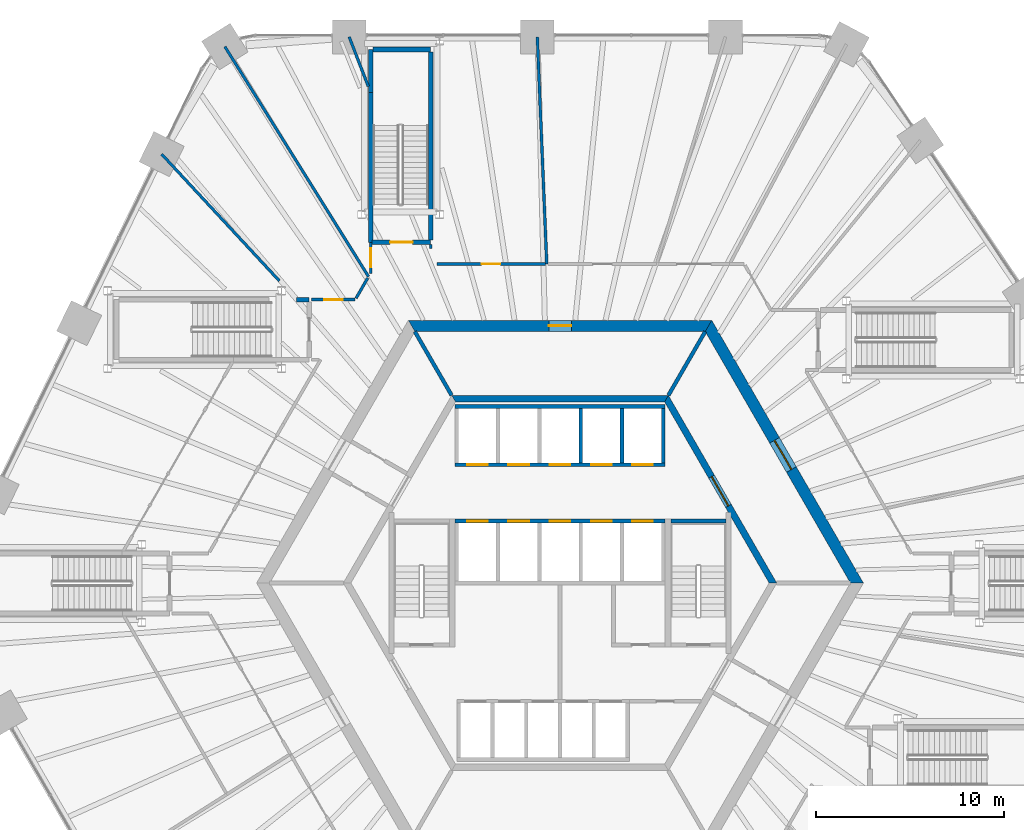
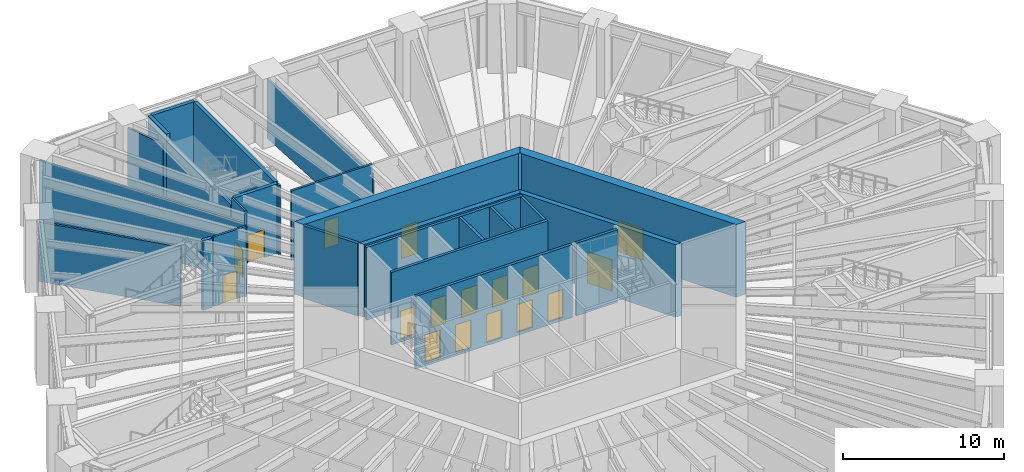
# One storey, part 24 of 30: 28 walls, 17 doors, 17 openings.
"""IFC4 building model written with IfcOpenShell, lengths in metres."""

from ifc_helpers import new_model, si_unit, direction, frame, frame_2d, origin, place, context, subcontext, project, spatial, polyline, rectangle, outline, extrude, material, layer, layer_set, type_object, element, fill, save


model = new_model("IFC4")

# Units and contexts
model_context = context("Model", 3, precision=1e-05, world=origin(), true_north=direction((0.0, 1.0)))
body_context = subcontext(model_context, "Body", "Model", "MODEL_VIEW")
ifc_project = project(units=[si_unit("LENGTHUNIT", "METRE"), si_unit("AREAUNIT", "SQUARE_METRE"), si_unit("VOLUMEUNIT", "CUBIC_METRE"), si_unit("PLANEANGLEUNIT", "RADIAN"), si_unit("MASSUNIT", "GRAM", prefix="KILO")], contexts=[model_context])

# Site, building, storey
site_placement = place(None, origin())
site = spatial("IfcSite", under=ifc_project, at=site_placement, CompositionType="ELEMENT")
building_placement = place(site_placement, origin())
building = spatial("IfcBuilding", under=site, at=building_placement, Name="Tarnside Tower", CompositionType="ELEMENT")
storey_placement = place(building_placement, frame((0.0, 0.0, 15.0)))
storey = spatial("IfcBuildingStorey", under=building, at=storey_placement, Name="L02", CompositionType="ELEMENT", Elevation=15.0)

# Wall, opening, door
ifc_material_1 = material(Name="Concrete C50/60", Category="concrete")
ifc_layer_1 = layer(ifc_material_1, 0.35009765625)
ifc_layer_set_1 = layer_set([ifc_layer_1], Name="Core block wall 350 C50/60")
wall_type_1 = type_object("IfcWallType", Name="Core block wall 350 C50/60", PredefinedType="SHEAR", material=ifc_layer_set_1)
wall_1_placement = place(storey_placement, frame((11.344970703125, 0.0, -0.25), z_axis=(0.0, 0.0, 1.0), x_axis=(-0.499995046907, 0.866028263435, 0.0)))
wall_1 = element("IfcWall", 1, at=wall_1_placement, inside=storey, type_object=wall_type_1, Name="L02 core block wall face 6", PredefinedType="SHEAR", context=body_context, shape_type="SweptSolid", body=[
    extrude(outline(polyline([(-0.10107421875, -0.175048828125), (11.44580078125, -0.175048828125), (11.24365234375, 0.175048828125), (0.10107421875, 0.175048828125), (-0.10107421875, -0.175048828125)])), origin(), (0.0, 0.0, 1.0), 5.5),
])
opening_1_placement = place(wall_1_placement, frame((4.74365234375, 0.0, 0.25)))
opening_1 = element("IfcOpeningElement", 2, at=opening_1_placement, cuts=wall_1, Name="Opening CD-LOB", PredefinedType="OPENING", context=body_context, shape_type="SweptSolid", body=[
    extrude(rectangle(XDim=1.800048828125, YDim=2.39990234375, at=frame_2d((0.89990234375, 1.199951171875))), frame((0.0, 0.18505859375, 0.0), z_axis=(0.0, -1.0, 0.0), x_axis=(1.0, 0.0, 0.0)), (0.0, 0.0, 1.0), 0.3701171875),
])
ifc_material_2 = material(Name="Steel fire door", Category="steel")
door_type_1 = type_object("IfcDoorType", Name="Lobby double door FD30S 1800x2400", OperationType="NOTDEFINED", PredefinedType="DOOR", material=ifc_material_2)
door_1_placement = place(opening_1_placement, origin())
door_1 = element("IfcDoor", 3, at=door_1_placement, inside=storey, type_object=door_type_1, Name="L02 lobby block door P2", OperationType="DOUBLE_DOOR_SINGLE_SWING", OverallHeight=2.39990234375, OverallWidth=1.800048828125, PredefinedType="DOOR", context=body_context, shape_type="SweptSolid", body=[
    extrude(rectangle(XDim=1.800048828125, YDim=2.39990234375, at=frame_2d((0.89990234375, 1.199951171875))), frame((0.0, 0.02490234375, 0.0), z_axis=(0.0, -1.0, 0.0), x_axis=(1.0, 0.0, 0.0)), (0.0, 0.0, 1.0), 0.050048828125),
])
fill(opening_1, door_1)

# Wall
wall_2_placement = place(storey_placement, frame((5.672607421875, 9.824951171875, -0.25), z_axis=(0.0, 0.0, 1.0), x_axis=(-1.0, 0.0, 0.0)))
element("IfcWall", 4, at=wall_2_placement, inside=storey, type_object=wall_type_1, Name="L02 core block wall face 1", PredefinedType="SHEAR", context=body_context, shape_type="SweptSolid", body=[
    extrude(outline(polyline([(-0.10107421875, -0.175048828125), (11.4462890625, -0.175048828125), (11.244140625, 0.175048828125), (0.10107421875, 0.175048828125), (-0.10107421875, -0.175048828125)])), origin(), (0.0, 0.0, 1.0), 5.5),
])

# Wall, opening, door
ifc_material_3 = material(Name="Concrete C80/95", Category="concrete")
ifc_layer_2 = layer(ifc_material_3, 0.60009765625)
ifc_layer_set_2 = layer_set([ifc_layer_2], Name="Core wall Z1 600 C80/95")
wall_type_2 = type_object("IfcWallType", Name="Core wall Z1 600 C80/95", PredefinedType="SHEAR", material=ifc_layer_set_2)
wall_3_placement = place(storey_placement, frame((15.8193359375, 0.0, -0.25), z_axis=(0.0, 0.0, 1.0), x_axis=(-0.499999880136, 0.866025472988, 0.0)))
wall_3 = element("IfcWall", 5, at=wall_3_placement, inside=storey, type_object=wall_type_2, Name="L02 core wall face 6", PredefinedType="SHEAR", context=body_context, shape_type="SweptSolid", body=[
    extrude(outline(polyline([(-0.17333984375, -0.300048828125), (15.99267578125, -0.300048828125), (15.64599609375, 0.300048828125), (0.17333984375, 0.300048828125), (-0.17333984375, -0.300048828125)])), origin(), (0.0, 0.0, 1.0), 5.5),
])
opening_2_placement = place(wall_3_placement, frame((6.980712890625, 0.0, 0.25)))
opening_2 = element("IfcOpeningElement", 6, at=opening_2_placement, cuts=wall_3, Name="Opening CD-LOB", PredefinedType="OPENING", context=body_context, shape_type="SweptSolid", body=[
    extrude(rectangle(XDim=1.800048828125, YDim=2.39990234375, at=frame_2d((0.89990234375, 1.199951171875))), frame((0.0, 0.31005859375, 0.0), z_axis=(0.0, -1.0, 0.0), x_axis=(1.0, 0.0, 0.0)), (0.0, 0.0, 1.0), 0.6201171875),
])
door_2_placement = place(opening_2_placement, origin())
door_2 = element("IfcDoor", 7, at=door_2_placement, inside=storey, type_object=door_type_1, Name="L02 core door P2", OperationType="DOUBLE_DOOR_SINGLE_SWING", OverallHeight=2.39990234375, OverallWidth=1.800048828125, PredefinedType="DOOR", context=body_context, shape_type="SweptSolid", body=[
    extrude(rectangle(XDim=1.800048828125, YDim=2.39990234375, at=frame_2d((0.89990234375, 1.199951171875))), frame((0.0, 0.02490234375, 0.0), z_axis=(0.0, -1.0, 0.0), x_axis=(1.0, 0.0, 0.0)), (0.0, 0.0, 1.0), 0.050048828125),
])
fill(opening_2, door_2)

wall_4_placement = place(storey_placement, frame((7.90966796875, 13.699951171875, -0.25), z_axis=(0.0, 0.0, 1.0), x_axis=(-1.0, 0.0, 0.0)))
wall_4 = element("IfcWall", 8, at=wall_4_placement, inside=storey, type_object=wall_type_2, Name="L02 core wall face 1", PredefinedType="SHEAR", context=body_context, shape_type="SweptSolid", body=[
    extrude(outline(polyline([(-0.17333984375, -0.300048828125), (15.99267578125, -0.300048828125), (15.64599609375, 0.300048828125), (0.17333984375, 0.300048828125), (-0.17333984375, -0.300048828125)])), origin(), (0.0, 0.0, 1.0), 5.5),
])
opening_3_placement = place(wall_4_placement, frame((7.309814453125, 0.0, 0.25)))
opening_3 = element("IfcOpeningElement", 9, at=opening_3_placement, cuts=wall_4, Name="Opening CD-RSR", PredefinedType="OPENING", context=body_context, shape_type="SweptSolid", body=[
    extrude(rectangle(XDim=1.199951171875, YDim=2.39990234375, at=frame_2d((0.60009765625, 1.199951171875))), frame((0.0, 0.31005859375, 0.0), z_axis=(0.0, -1.0, 0.0), x_axis=(1.0, 0.0, 0.0)), (0.0, 0.0, 1.0), 0.6201171875),
])
door_type_2 = type_object("IfcDoorType", Name="Riser door FD60 1200x2400", OperationType="NOTDEFINED", PredefinedType="DOOR", material=ifc_material_2)
door_3_placement = place(opening_3_placement, origin())
door_3 = element("IfcDoor", 10, at=door_3_placement, inside=storey, type_object=door_type_2, Name="L02 core door S5", OperationType="SINGLE_SWING_LEFT", OverallHeight=2.39990234375, OverallWidth=1.199951171875, PredefinedType="DOOR", context=body_context, shape_type="SweptSolid", body=[
    extrude(rectangle(XDim=1.199951171875, YDim=2.39990234375, at=frame_2d((0.60009765625, 1.199951171875))), frame((0.0, 0.02490234375, 0.0), z_axis=(0.0, -1.0, 0.0), x_axis=(1.0, 0.0, 0.0)), (0.0, 0.0, 1.0), 0.050048828125),
])
fill(opening_3, door_3)

# Wall, openings, doors
ifc_material_4 = material(Name="Concrete C40/50", Category="concrete")
ifc_layer_3 = layer(ifc_material_4, 0.199951171875)
ifc_layer_set_3 = layer_set([ifc_layer_3], Name="Lift shaft wall 200 C40/50")
wall_type_3 = type_object("IfcWallType", Name="Lift shaft wall 200 C40/50", PredefinedType="SHEAR", material=ifc_layer_set_3)
wall_5_placement = place(storey_placement, frame((-5.60009765625, 6.300048828125, -0.25), z_axis=(0.0, 0.0, 1.0), x_axis=(1.0, 0.0, 0.0)))
wall_5 = element("IfcWall", 11, at=wall_5_placement, inside=storey, type_object=wall_type_3, Name="L02 lift shaft front wall R1", PredefinedType="SHEAR", context=body_context, shape_type="SweptSolid", body=[
    extrude(rectangle(XDim=11.2001953125, YDim=0.199951171875, at=frame_2d((5.60009765625, 0.0))), origin(), (0.0, 0.0, 1.0), 5.5),
])
opening_4_placement = place(wall_5_placement, frame((0.64990234375, 0.0, 0.25)))
opening_4 = element("IfcOpeningElement", 12, at=opening_4_placement, cuts=wall_5, Name="Opening LD", PredefinedType="OPENING", context=body_context, shape_type="SweptSolid", body=[
    extrude(rectangle(XDim=1.10009765625, YDim=2.10009765625, at=frame_2d((0.550048828125, 1.050048828125))), frame((0.0, 0.10986328125, 0.0), z_axis=(0.0, -1.0, 0.0), x_axis=(1.0, 0.0, 0.0)), (0.0, 0.0, 1.0), 0.219970703125),
])
opening_5_placement = place(wall_5_placement, frame((2.85009765625, 0.0, 0.25)))
opening_5 = element("IfcOpeningElement", 13, at=opening_5_placement, cuts=wall_5, Name="Opening LD", PredefinedType="OPENING", context=body_context, shape_type="SweptSolid", body=[
    extrude(rectangle(XDim=1.10009765625, YDim=2.10009765625, at=frame_2d((0.550048828125, 1.050048828125))), frame((0.0, 0.10986328125, 0.0), z_axis=(0.0, -1.0, 0.0), x_axis=(1.0, 0.0, 0.0)), (0.0, 0.0, 1.0), 0.219970703125),
])
opening_6_placement = place(wall_5_placement, frame((5.050048828125, 0.0, 0.25)))
opening_6 = element("IfcOpeningElement", 14, at=opening_6_placement, cuts=wall_5, Name="Opening LD", PredefinedType="OPENING", context=body_context, shape_type="SweptSolid", body=[
    extrude(rectangle(XDim=1.10009765625, YDim=2.10009765625, at=frame_2d((0.550048828125, 1.050048828125))), frame((0.0, 0.10986328125, 0.0), z_axis=(0.0, -1.0, 0.0), x_axis=(1.0, 0.0, 0.0)), (0.0, 0.0, 1.0), 0.219970703125),
])
opening_7_placement = place(wall_5_placement, frame((7.25, 0.0, 0.25)))
opening_7 = element("IfcOpeningElement", 15, at=opening_7_placement, cuts=wall_5, Name="Opening LD", PredefinedType="OPENING", context=body_context, shape_type="SweptSolid", body=[
    extrude(rectangle(XDim=1.10009765625, YDim=2.10009765625, at=frame_2d((0.550048828125, 1.050048828125))), frame((0.0, 0.10986328125, 0.0), z_axis=(0.0, -1.0, 0.0), x_axis=(1.0, 0.0, 0.0)), (0.0, 0.0, 1.0), 0.219970703125),
])
opening_8_placement = place(wall_5_placement, frame((9.449951171875, 0.0, 0.25)))
opening_8 = element("IfcOpeningElement", 16, at=opening_8_placement, cuts=wall_5, Name="Opening LD", PredefinedType="OPENING", context=body_context, shape_type="SweptSolid", body=[
    extrude(rectangle(XDim=1.10009765625, YDim=2.10009765625, at=frame_2d((0.550048828125, 1.050048828125))), frame((0.0, 0.10986328125, 0.0), z_axis=(0.0, -1.0, 0.0), x_axis=(1.0, 0.0, 0.0)), (0.0, 0.0, 1.0), 0.219970703125),
])
ifc_material_5 = material(Name="Stainless steel", Category="steel")
door_type_3 = type_object("IfcDoorType", Name="Lift landing door 1100x2100", OperationType="NOTDEFINED", PredefinedType="DOOR", material=ifc_material_5)
door_4_placement = place(opening_4_placement, origin())
door_4 = element("IfcDoor", 17, at=door_4_placement, inside=storey, type_object=door_type_3, Name="Low-rise lift 1 landing door L02", OperationType="SLIDING_TO_LEFT", OverallHeight=2.10009765625, OverallWidth=1.10009765625, PredefinedType="DOOR", context=body_context, shape_type="SweptSolid", body=[
    extrude(rectangle(XDim=1.10009765625, YDim=2.10009765625, at=frame_2d((0.550048828125, 1.050048828125))), frame((0.0, 0.02490234375, 0.0), z_axis=(0.0, -1.0, 0.0), x_axis=(1.0, 0.0, 0.0)), (0.0, 0.0, 1.0), 0.050048828125),
])
fill(opening_4, door_4)
door_5_placement = place(opening_5_placement, origin())
door_5 = element("IfcDoor", 18, at=door_5_placement, inside=storey, type_object=door_type_3, Name="Low-rise lift 2 landing door L02", OperationType="SLIDING_TO_LEFT", OverallHeight=2.10009765625, OverallWidth=1.10009765625, PredefinedType="DOOR", context=body_context, shape_type="SweptSolid", body=[
    extrude(rectangle(XDim=1.10009765625, YDim=2.10009765625, at=frame_2d((0.550048828125, 1.050048828125))), frame((0.0, 0.02490234375, 0.0), z_axis=(0.0, -1.0, 0.0), x_axis=(1.0, 0.0, 0.0)), (0.0, 0.0, 1.0), 0.050048828125),
])
fill(opening_5, door_5)
door_6_placement = place(opening_6_placement, origin())
door_6 = element("IfcDoor", 19, at=door_6_placement, inside=storey, type_object=door_type_3, Name="Low-rise lift 3 landing door L02", OperationType="SLIDING_TO_LEFT", OverallHeight=2.10009765625, OverallWidth=1.10009765625, PredefinedType="DOOR", context=body_context, shape_type="SweptSolid", body=[
    extrude(rectangle(XDim=1.10009765625, YDim=2.10009765625, at=frame_2d((0.550048828125, 1.050048828125))), frame((0.0, 0.02490234375, 0.0), z_axis=(0.0, -1.0, 0.0), x_axis=(1.0, 0.0, 0.0)), (0.0, 0.0, 1.0), 0.050048828125),
])
fill(opening_6, door_6)
door_7_placement = place(opening_7_placement, origin())
door_7 = element("IfcDoor", 20, at=door_7_placement, inside=storey, type_object=door_type_3, Name="Low sky-lobby shuttle 1 landing door L02", OperationType="SLIDING_TO_LEFT", OverallHeight=2.10009765625, OverallWidth=1.10009765625, PredefinedType="DOOR", context=body_context, shape_type="SweptSolid", body=[
    extrude(rectangle(XDim=1.10009765625, YDim=2.10009765625, at=frame_2d((0.550048828125, 1.050048828125))), frame((0.0, 0.02490234375, 0.0), z_axis=(0.0, -1.0, 0.0), x_axis=(1.0, 0.0, 0.0)), (0.0, 0.0, 1.0), 0.050048828125),
])
fill(opening_7, door_7)
door_8_placement = place(opening_8_placement, origin())
door_8 = element("IfcDoor", 21, at=door_8_placement, inside=storey, type_object=door_type_3, Name="Low sky-lobby shuttle 2 landing door L02", OperationType="SLIDING_TO_LEFT", OverallHeight=2.10009765625, OverallWidth=1.10009765625, PredefinedType="DOOR", context=body_context, shape_type="SweptSolid", body=[
    extrude(rectangle(XDim=1.10009765625, YDim=2.10009765625, at=frame_2d((0.550048828125, 1.050048828125))), frame((0.0, 0.02490234375, 0.0), z_axis=(0.0, -1.0, 0.0), x_axis=(1.0, 0.0, 0.0)), (0.0, 0.0, 1.0), 0.050048828125),
])
fill(opening_8, door_8)

# Walls
wall_6_placement = place(storey_placement, frame((-5.60009765625, 9.39990234375, -0.25), z_axis=(0.0, 0.0, 1.0), x_axis=(1.0, 0.0, 0.0)))
element("IfcWall", 22, at=wall_6_placement, inside=storey, type_object=wall_type_3, Name="L02 lift shaft back wall R1", PredefinedType="SHEAR", context=body_context, shape_type="SweptSolid", body=[
    extrude(rectangle(XDim=11.2001953125, YDim=0.199951171875, at=frame_2d((5.60009765625, 0.0))), origin(), (0.0, 0.0, 1.0), 5.5),
])
for number, where, z_axis, x_axis, name in (
    (23, (1.10009765625, 6.39990234375, -0.25), (0.0, 0.0, 1.0), (0.0, 1.0, 0.0), "L02 lift shaft partition R14"),
    (24, (3.300048828125, 6.39990234375, -0.25), (0.0, 0.0, 1.0), (0.0, 1.0, 0.0), "L02 lift shaft partition R15"),
    (25, (5.5, 6.39990234375, -0.25), (0.0, 0.0, 1.0), (0.0, 1.0, 0.0), "L02 lift shaft partition R16"),
):
    element("IfcWall", number, at=place(storey_placement, frame(where, z_axis=z_axis, x_axis=x_axis)), inside=storey, type_object=wall_type_3, Name=name, PredefinedType="SHEAR", context=body_context, shape_type="SweptSolid", body=[
        extrude(rectangle(XDim=2.900146484375, YDim=0.199951171875, at=frame_2d((1.4501953125, 0.0))), origin(), (0.0, 0.0, 1.0), 5.5),
    ])

# Wall, openings, doors
wall_7_placement = place(storey_placement, frame((-5.60009765625, 3.300048828125, -0.25), z_axis=(0.0, 0.0, 1.0), x_axis=(1.0, 0.0, 0.0)))
wall_7 = element("IfcWall", 26, at=wall_7_placement, inside=storey, type_object=wall_type_3, Name="L02 lift shaft front wall R2", PredefinedType="SHEAR", context=body_context, shape_type="SweptSolid", body=[
    extrude(rectangle(XDim=11.2001953125, YDim=0.199951171875, at=frame_2d((5.60009765625, 0.0))), origin(), (0.0, 0.0, 1.0), 5.5),
])
opening_9_placement = place(wall_7_placement, frame((0.64990234375, 0.0, 0.25)))
opening_9 = element("IfcOpeningElement", 27, at=opening_9_placement, cuts=wall_7, Name="Opening LD", PredefinedType="OPENING", context=body_context, shape_type="SweptSolid", body=[
    extrude(rectangle(XDim=1.10009765625, YDim=2.10009765625, at=frame_2d((0.550048828125, 1.050048828125))), frame((0.0, 0.10986328125, 0.0), z_axis=(0.0, -1.0, 0.0), x_axis=(1.0, 0.0, 0.0)), (0.0, 0.0, 1.0), 0.219970703125),
])
opening_10_placement = place(wall_7_placement, frame((2.85009765625, 0.0, 0.25)))
opening_10 = element("IfcOpeningElement", 28, at=opening_10_placement, cuts=wall_7, Name="Opening LD", PredefinedType="OPENING", context=body_context, shape_type="SweptSolid", body=[
    extrude(rectangle(XDim=1.10009765625, YDim=2.10009765625, at=frame_2d((0.550048828125, 1.050048828125))), frame((0.0, 0.10986328125, 0.0), z_axis=(0.0, -1.0, 0.0), x_axis=(1.0, 0.0, 0.0)), (0.0, 0.0, 1.0), 0.219970703125),
])
opening_11_placement = place(wall_7_placement, frame((5.050048828125, 0.0, 0.25)))
opening_11 = element("IfcOpeningElement", 29, at=opening_11_placement, cuts=wall_7, Name="Opening LD", PredefinedType="OPENING", context=body_context, shape_type="SweptSolid", body=[
    extrude(rectangle(XDim=1.10009765625, YDim=2.10009765625, at=frame_2d((0.550048828125, 1.050048828125))), frame((0.0, 0.10986328125, 0.0), z_axis=(0.0, -1.0, 0.0), x_axis=(1.0, 0.0, 0.0)), (0.0, 0.0, 1.0), 0.219970703125),
])
opening_12_placement = place(wall_7_placement, frame((7.25, 0.0, 0.25)))
opening_12 = element("IfcOpeningElement", 30, at=opening_12_placement, cuts=wall_7, Name="Opening LD", PredefinedType="OPENING", context=body_context, shape_type="SweptSolid", body=[
    extrude(rectangle(XDim=1.10009765625, YDim=2.10009765625, at=frame_2d((0.550048828125, 1.050048828125))), frame((0.0, 0.10986328125, 0.0), z_axis=(0.0, -1.0, 0.0), x_axis=(1.0, 0.0, 0.0)), (0.0, 0.0, 1.0), 0.219970703125),
])
opening_13_placement = place(wall_7_placement, frame((9.449951171875, 0.0, 0.25)))
opening_13 = element("IfcOpeningElement", 31, at=opening_13_placement, cuts=wall_7, Name="Opening LD", PredefinedType="OPENING", context=body_context, shape_type="SweptSolid", body=[
    extrude(rectangle(XDim=1.10009765625, YDim=2.10009765625, at=frame_2d((0.550048828125, 1.050048828125))), frame((0.0, 0.10986328125, 0.0), z_axis=(0.0, -1.0, 0.0), x_axis=(1.0, 0.0, 0.0)), (0.0, 0.0, 1.0), 0.219970703125),
])
door_9_placement = place(opening_9_placement, origin())
door_9 = element("IfcDoor", 32, at=door_9_placement, inside=storey, type_object=door_type_3, Name="Low-rise lift 4 landing door L02", OperationType="SLIDING_TO_LEFT", OverallHeight=2.10009765625, OverallWidth=1.10009765625, PredefinedType="DOOR", context=body_context, shape_type="SweptSolid", body=[
    extrude(rectangle(XDim=1.10009765625, YDim=2.10009765625, at=frame_2d((0.550048828125, 1.050048828125))), frame((0.0, 0.02490234375, 0.0), z_axis=(0.0, -1.0, 0.0), x_axis=(1.0, 0.0, 0.0)), (0.0, 0.0, 1.0), 0.050048828125),
])
fill(opening_9, door_9)
door_10_placement = place(opening_10_placement, origin())
door_10 = element("IfcDoor", 33, at=door_10_placement, inside=storey, type_object=door_type_3, Name="Low-rise lift 5 landing door L02", OperationType="SLIDING_TO_LEFT", OverallHeight=2.10009765625, OverallWidth=1.10009765625, PredefinedType="DOOR", context=body_context, shape_type="SweptSolid", body=[
    extrude(rectangle(XDim=1.10009765625, YDim=2.10009765625, at=frame_2d((0.550048828125, 1.050048828125))), frame((0.0, 0.02490234375, 0.0), z_axis=(0.0, -1.0, 0.0), x_axis=(1.0, 0.0, 0.0)), (0.0, 0.0, 1.0), 0.050048828125),
])
fill(opening_10, door_10)
door_11_placement = place(opening_11_placement, origin())
door_11 = element("IfcDoor", 34, at=door_11_placement, inside=storey, type_object=door_type_3, Name="Low-rise lift 6 landing door L02", OperationType="SLIDING_TO_LEFT", OverallHeight=2.10009765625, OverallWidth=1.10009765625, PredefinedType="DOOR", context=body_context, shape_type="SweptSolid", body=[
    extrude(rectangle(XDim=1.10009765625, YDim=2.10009765625, at=frame_2d((0.550048828125, 1.050048828125))), frame((0.0, 0.02490234375, 0.0), z_axis=(0.0, -1.0, 0.0), x_axis=(1.0, 0.0, 0.0)), (0.0, 0.0, 1.0), 0.050048828125),
])
fill(opening_11, door_11)
door_12_placement = place(opening_12_placement, origin())
door_12 = element("IfcDoor", 35, at=door_12_placement, inside=storey, type_object=door_type_3, Name="High sky-lobby shuttle 1 landing door L02", OperationType="SLIDING_TO_LEFT", OverallHeight=2.10009765625, OverallWidth=1.10009765625, PredefinedType="DOOR", context=body_context, shape_type="SweptSolid", body=[
    extrude(rectangle(XDim=1.10009765625, YDim=2.10009765625, at=frame_2d((0.550048828125, 1.050048828125))), frame((0.0, 0.02490234375, 0.0), z_axis=(0.0, -1.0, 0.0), x_axis=(1.0, 0.0, 0.0)), (0.0, 0.0, 1.0), 0.050048828125),
])
fill(opening_12, door_12)
door_13_placement = place(opening_13_placement, origin())
door_13 = element("IfcDoor", 36, at=door_13_placement, inside=storey, type_object=door_type_3, Name="Express sky-lobby shuttle 2 landing door L02", OperationType="SLIDING_TO_LEFT", OverallHeight=2.10009765625, OverallWidth=1.10009765625, PredefinedType="DOOR", context=body_context, shape_type="SweptSolid", body=[
    extrude(rectangle(XDim=1.10009765625, YDim=2.10009765625, at=frame_2d((0.550048828125, 1.050048828125))), frame((0.0, 0.02490234375, 0.0), z_axis=(0.0, -1.0, 0.0), x_axis=(1.0, 0.0, 0.0)), (0.0, 0.0, 1.0), 0.050048828125),
])
fill(opening_13, door_13)

# Walls
for number, where, z_axis, x_axis, name in (
    (37, (5.7734375, 10.0, -0.25), (0.0, 0.0, 1.0), (0.500038251005, 0.86600331843, 0.0), "L02 core partition AR60"),
    (38, (-5.7734375, 10.0, -0.25), (0.0, 0.0, 1.0), (-0.500038251005, 0.86600331843, 0.0), "L02 core partition AR120"),
):
    element("IfcWall", number, at=place(storey_placement, frame(where, z_axis=z_axis, x_axis=x_axis)), inside=storey, type_object=wall_type_3, Name=name, PredefinedType="SHEAR", context=body_context, shape_type="SweptSolid", body=[
        extrude(rectangle(XDim=3.926025390625, YDim=0.199951171875, at=frame_2d((1.962890625, 0.0))), origin(), (0.0, 0.0, 1.0), 5.5),
    ])
wall_8_placement = place(storey_placement, frame((5.89990234375, 3.300048828125, -0.25), z_axis=(0.0, 0.0, 1.0), x_axis=(1.0, 0.0, 0.0)))
element("IfcWall", 39, at=wall_8_placement, inside=storey, type_object=wall_type_3, Name="L02 stair 1 enclosure cap wall n", PredefinedType="SHEAR", context=body_context, shape_type="SweptSolid", body=[
    extrude(rectangle(XDim=2.9501953125, YDim=0.199951171875, at=frame_2d((1.47509765625, 0.0))), origin(), (0.0, 0.0, 1.0), 5.5),
])
ifc_material_6 = material(Name="Gypsum board")
ifc_layer_4 = layer(ifc_material_6, 0.14990234375)
ifc_layer_set_4 = layer_set([ifc_layer_4], Name="Partition 150 gypsum board on metal stud")
wall_type_4 = type_object("IfcWallType", Name="Partition 150 gypsum board on metal stud", PredefinedType="PARTITIONING", material=ifc_layer_set_4)
wall_9_placement = place(storey_placement, frame((-21.22998046875, 22.85400390625, 0.0), z_axis=(0.0, 0.0, 1.0), x_axis=(0.680588181583, -0.732666177116, 0.0)))
element("IfcWall", 40, at=wall_9_placement, inside=storey, type_object=wall_type_4, Name="Partition 008", PredefinedType="PARTITIONING", context=body_context, shape_type="SweptSolid", body=[
    extrude(rectangle(XDim=9.22119140625, YDim=0.14990234375, at=frame_2d((4.610595703125, 0.0))), origin(), (0.0, 0.0, 1.0), 4.48779296875),
])
wall_10_placement = place(storey_placement, frame((-17.861083984375, 28.583984375, 0.0), z_axis=(0.0, 0.0, 1.0), x_axis=(0.529906308886, -0.848056191418, 0.0)))
element("IfcWall", 41, at=wall_10_placement, inside=storey, type_object=wall_type_4, Name="Partition 015", PredefinedType="PARTITIONING", context=body_context, shape_type="SweptSolid", body=[
    extrude(rectangle(XDim=14.451904296875, YDim=0.14990234375, at=frame_2d((7.22607421875, 0.0))), origin(), (0.0, 0.0, 1.0), 4.48779296875),
])

# Wall, opening, door
wall_11_placement = place(storey_placement, frame((-13.239990234375, 15.10009765625, 0.0), z_axis=(0.0, 0.0, 1.0), x_axis=(1.0, 0.0, 0.0)))
wall_11 = element("IfcWall", 42, at=wall_11_placement, inside=storey, type_object=wall_type_4, Name="Partition 025", PredefinedType="PARTITIONING", context=body_context, shape_type="SweptSolid", body=[
    extrude(rectangle(XDim=2.327880859375, YDim=0.14990234375, at=frame_2d((1.1640625, 0.0))), origin(), (0.0, 0.0, 1.0), 5.25),
])
opening_14_placement = place(wall_11_placement, frame((0.6640625, 0.0, 0.0)))
opening_14 = element("IfcOpeningElement", 43, at=opening_14_placement, cuts=wall_11, Name="Opening D1000F30", PredefinedType="OPENING", context=body_context, shape_type="SweptSolid", body=[
    extrude(rectangle(XDim=1.0, YDim=2.10009765625, at=frame_2d((0.5, 1.050048828125))), frame((0.0, 0.0849609375, 0.0), z_axis=(0.0, -1.0, 0.0), x_axis=(1.0, 0.0, 0.0)), (0.0, 0.0, 1.0), 0.169921875),
])
ifc_material_7 = material(Name="Timber door leaf", Category="wood")
door_type_4 = type_object("IfcDoorType", Name="Door 1000 x 2100 single leaf FD30S fire door", OperationType="NOTDEFINED", PredefinedType="DOOR", material=ifc_material_7)
door_14_placement = place(opening_14_placement, origin())
door_14 = element("IfcDoor", 44, at=door_14_placement, inside=storey, type_object=door_type_4, Name="Door L02-15", OperationType="SINGLE_SWING_RIGHT", OverallHeight=2.10009765625, OverallWidth=1.0, PredefinedType="DOOR", context=body_context, shape_type="SweptSolid", body=[
    extrude(rectangle(XDim=1.0, YDim=2.10009765625, at=frame_2d((0.5, 1.050048828125))), frame((0.0, 0.02490234375, 0.0), z_axis=(0.0, -1.0, 0.0), x_axis=(1.0, 0.0, 0.0)), (0.0, 0.0, 1.0), 0.050048828125),
])
fill(opening_14, door_14)

# Walls
wall_12_placement = place(storey_placement, frame((-11.235107421875, 29.10009765625, 0.0), z_axis=(0.0, 0.0, 1.0), x_axis=(0.360128239505, -0.932902809038, 0.0)))
element("IfcWall", 45, at=wall_12_placement, inside=storey, type_object=wall_type_4, Name="Partition 029", PredefinedType="PARTITIONING", context=body_context, shape_type="SweptSolid", body=[
    extrude(rectangle(XDim=2.832275390625, YDim=0.14990234375, at=frame_2d((1.416015625, 0.0))), origin(), (0.0, 0.0, 1.0), 4.323486328125),
])
wall_13_placement = place(storey_placement, frame((-10.245361328125, 16.25439453125, 0.0), z_axis=(0.0, 0.0, 1.0), x_axis=(-0.50007851496, -0.865980068405, 0.0)))
element("IfcWall", 46, at=wall_13_placement, inside=storey, type_object=wall_type_4, Name="Partition 030", PredefinedType="PARTITIONING", context=body_context, shape_type="SweptSolid", body=[
    extrude(rectangle(XDim=1.246337890625, YDim=0.14990234375, at=frame_2d((0.623046875, 0.0))), origin(), (0.0, 0.0, 1.0), 5.25),
])

# Wall, opening, door
wall_14_placement = place(storey_placement, frame((-10.090087890625, 16.50390625, 0.0), z_axis=(0.0, 0.0, 1.0), x_axis=(0.0, 1.0, 0.0)))
wall_14 = element("IfcWall", 47, at=wall_14_placement, inside=storey, type_object=wall_type_4, Name="Partition 031", PredefinedType="PARTITIONING", context=body_context, shape_type="SweptSolid", body=[
    extrude(rectangle(XDim=1.651123046875, YDim=0.14990234375, at=frame_2d((0.82568359375, 0.0))), origin(), (0.0, 0.0, 1.0), 5.25),
])
opening_15_placement = place(wall_14_placement, frame((0.325439453125, 0.0, 0.0)))
opening_15 = element("IfcOpeningElement", 48, at=opening_15_placement, cuts=wall_14, Name="Opening D1000F30", PredefinedType="OPENING", context=body_context, shape_type="SweptSolid", body=[
    extrude(rectangle(XDim=1.0, YDim=2.10009765625, at=frame_2d((0.5, 1.050048828125))), frame((0.0, 0.0849609375, 0.0), z_axis=(0.0, -1.0, 0.0), x_axis=(1.0, 0.0, 0.0)), (0.0, 0.0, 1.0), 0.169921875),
])
door_15_placement = place(opening_15_placement, origin())
door_15 = element("IfcDoor", 49, at=door_15_placement, inside=storey, type_object=door_type_4, Name="Door L02-17", OperationType="SINGLE_SWING_RIGHT", OverallHeight=2.10009765625, OverallWidth=1.0, PredefinedType="DOOR", context=body_context, shape_type="SweptSolid", body=[
    extrude(rectangle(XDim=1.0, YDim=2.10009765625, at=frame_2d((0.5, 1.050048828125))), frame((0.0, 0.02490234375, 0.0), z_axis=(0.0, -1.0, 0.0), x_axis=(1.0, 0.0, 0.0)), (0.0, 0.0, 1.0), 0.050048828125),
])
fill(opening_15, door_15)

# Walls
wall_15_placement = place(storey_placement, frame((-6.889892578125, 18.030029296875, 0.0), z_axis=(0.0, 0.0, 1.0), x_axis=(0.0, -1.0, 0.0)))
element("IfcWall", 50, at=wall_15_placement, inside=storey, type_object=wall_type_4, Name="Partition 039", PredefinedType="PARTITIONING", context=body_context, shape_type="SweptSolid", body=[
    extrude(rectangle(XDim=0.2109375, YDim=0.14990234375, at=frame_2d((0.10546875, 0.0))), origin(), (0.0, 0.0, 1.0), 5.25),
])
wall_16_placement = place(storey_placement, frame((-1.2109375, 29.10009765625, 0.0), z_axis=(0.0, 0.0, 1.0), x_axis=(0.041528245439, -0.999137330316, 0.0)))
element("IfcWall", 51, at=wall_16_placement, inside=storey, type_object=wall_type_4, Name="Partition 044", PredefinedType="PARTITIONING", context=body_context, shape_type="SweptSolid", body=[
    extrude(rectangle(XDim=12.110595703125, YDim=0.14990234375, at=frame_2d((6.05517578125, 0.0))), origin(), (0.0, 0.0, 1.0), 4.49609375),
])

# Wall, opening, door
wall_17_placement = place(storey_placement, frame((-6.56298828125, 17.0, 0.0), z_axis=(0.0, 0.0, 1.0), x_axis=(1.0, 0.0, 0.0)))
wall_17 = element("IfcWall", 52, at=wall_17_placement, inside=storey, type_object=wall_type_4, Name="Partition 045", PredefinedType="PARTITIONING", context=body_context, shape_type="SweptSolid", body=[
    extrude(rectangle(XDim=5.780029296875, YDim=0.14990234375, at=frame_2d((2.89013671875, 0.0))), origin(), (0.0, 0.0, 1.0), 5.25),
])
opening_16_placement = place(wall_17_placement, frame((2.389892578125, 0.0, 0.0)))
opening_16 = element("IfcOpeningElement", 53, at=opening_16_placement, cuts=wall_17, Name="Opening D1000F30", PredefinedType="OPENING", context=body_context, shape_type="SweptSolid", body=[
    extrude(rectangle(XDim=1.0, YDim=2.10009765625, at=frame_2d((0.5, 1.050048828125))), frame((0.0, 0.0849609375, 0.0), z_axis=(0.0, -1.0, 0.0), x_axis=(1.0, 0.0, 0.0)), (0.0, 0.0, 1.0), 0.169921875),
])
door_16_placement = place(opening_16_placement, origin())
door_16 = element("IfcDoor", 54, at=door_16_placement, inside=storey, type_object=door_type_4, Name="Door L02-21", OperationType="SINGLE_SWING_RIGHT", OverallHeight=2.10009765625, OverallWidth=1.0, PredefinedType="DOOR", context=body_context, shape_type="SweptSolid", body=[
    extrude(rectangle(XDim=1.0, YDim=2.10009765625, at=frame_2d((0.5, 1.050048828125))), frame((0.0, 0.02490234375, 0.0), z_axis=(0.0, -1.0, 0.0), x_axis=(1.0, 0.0, 0.0)), (0.0, 0.0, 1.0), 0.050048828125),
])
fill(opening_16, door_16)

# Walls
ifc_material_8 = material(Name="Concrete C32/40", Category="concrete")
ifc_layer_5 = layer(ifc_material_8, 0.25)
ifc_layer_set_5 = layer_set([ifc_layer_5], Name="Wall 250 reinforced Concrete C32/40")
wall_type_5 = type_object("IfcWallType", Name="Wall 250 reinforced Concrete C32/40", PredefinedType="PARTITIONING", material=ifc_layer_set_5)
wall_18_placement = place(storey_placement, frame((-14.0400390625, 15.10009765625, 0.0), z_axis=(0.0, 0.0, 1.0), x_axis=(1.0, 0.0, 0.0)))
element("IfcWall", 55, at=wall_18_placement, inside=storey, type_object=wall_type_5, Name="Partition 022", PredefinedType="PARTITIONING", context=body_context, shape_type="SweptSolid", body=[
    extrude(rectangle(XDim=0.675048828125, YDim=0.25, at=frame_2d((0.33740234375, 0.0))), origin(), (0.0, 0.0, 1.0), 5.25),
])
wall_19_placement = place(storey_placement, frame((-10.090087890625, 18.155029296875, 0.0), z_axis=(0.0, 0.0, 1.0), x_axis=(0.0, 1.0, 0.0)))
element("IfcWall", 56, at=wall_19_placement, inside=storey, type_object=wall_type_5, Name="Partition 032", PredefinedType="PARTITIONING", context=body_context, shape_type="SweptSolid", body=[
    extrude(rectangle(XDim=8.005859375, YDim=0.25, at=frame_2d((4.0029296875, 0.0))), origin(), (0.0, 0.0, 1.0), 4.716796875),
])

# Wall, opening, door
wall_20_placement = place(storey_placement, frame((-6.889892578125, 18.155029296875, 0.0), z_axis=(0.0, 0.0, 1.0), x_axis=(-1.0, 0.0, 0.0)))
wall_20 = element("IfcWall", 57, at=wall_20_placement, inside=storey, type_object=wall_type_5, Name="Partition 033", PredefinedType="PARTITIONING", context=body_context, shape_type="SweptSolid", body=[
    extrude(rectangle(XDim=3.125, YDim=0.25, at=frame_2d((1.5625, 0.0))), origin(), (0.0, 0.0, 1.0), 5.25),
])
opening_17_placement = place(wall_20_placement, frame((0.96240234375, 0.0, 0.0)))
opening_17 = element("IfcOpeningElement", 58, at=opening_17_placement, cuts=wall_20, Name="Opening D1200F60S", PredefinedType="OPENING", context=body_context, shape_type="SweptSolid", body=[
    extrude(rectangle(XDim=1.199951171875, YDim=2.10009765625, at=frame_2d((0.60009765625, 1.050048828125))), frame((0.0, 0.135009765625, 0.0), z_axis=(0.0, -1.0, 0.0), x_axis=(1.0, 0.0, 0.0)), (0.0, 0.0, 1.0), 0.27001953125),
])
door_type_5 = type_object("IfcDoorType", Name="Door 1200 x 2100 single leaf FD60S fire door", OperationType="NOTDEFINED", PredefinedType="DOOR", material=ifc_material_7)
door_17_placement = place(opening_17_placement, origin())
door_17 = element("IfcDoor", 59, at=door_17_placement, inside=storey, type_object=door_type_5, Name="Door L02-18", OperationType="SINGLE_SWING_LEFT", OverallHeight=2.10009765625, OverallWidth=1.199951171875, PredefinedType="DOOR", context=body_context, shape_type="SweptSolid", body=[
    extrude(rectangle(XDim=1.199951171875, YDim=2.10009765625, at=frame_2d((0.60009765625, 1.050048828125))), frame((0.0, 0.02490234375, 0.0), z_axis=(0.0, -1.0, 0.0), x_axis=(1.0, 0.0, 0.0)), (0.0, 0.0, 1.0), 0.050048828125),
])
fill(opening_17, door_17)

# Walls
wall_21_placement = place(storey_placement, frame((-10.090087890625, 26.1240234375, 0.0), z_axis=(0.0, 0.0, 1.0), x_axis=(0.0, 1.0, 0.0)))
element("IfcWall", 60, at=wall_21_placement, inside=storey, type_object=wall_type_5, Name="Partition 034", PredefinedType="PARTITIONING", context=body_context, shape_type="SweptSolid", body=[
    extrude(rectangle(XDim=2.301025390625, YDim=0.25, at=frame_2d((1.150390625, 0.0))), origin(), (0.0, 0.0, 1.0), 5.25),
])
wall_22_placement = place(storey_placement, frame((-9.965087890625, 28.425048828125, 0.0), z_axis=(0.0, 0.0, 1.0), x_axis=(1.0, 0.0, 0.0)))
element("IfcWall", 61, at=wall_22_placement, inside=storey, type_object=wall_type_5, Name="Partition 035", PredefinedType="PARTITIONING", context=body_context, shape_type="SweptSolid", body=[
    extrude(rectangle(XDim=3.0751953125, YDim=0.25, at=frame_2d((1.53759765625, 0.0))), origin(), (0.0, 0.0, 1.0), 5.25),
])
wall_23_placement = place(storey_placement, frame((-6.889892578125, 28.300048828125, 0.0), z_axis=(0.0, 0.0, 1.0), x_axis=(0.0, -1.0, 0.0)))
element("IfcWall", 62, at=wall_23_placement, inside=storey, type_object=wall_type_5, Name="Partition 040", PredefinedType="PARTITIONING", context=body_context, shape_type="SweptSolid", body=[
    extrude(rectangle(XDim=10.02001953125, YDim=0.25, at=frame_2d((5.010009765625, 0.0))), origin(), (0.0, 0.0, 1.0), 5.25),
])

save(model, "model.ifc")
